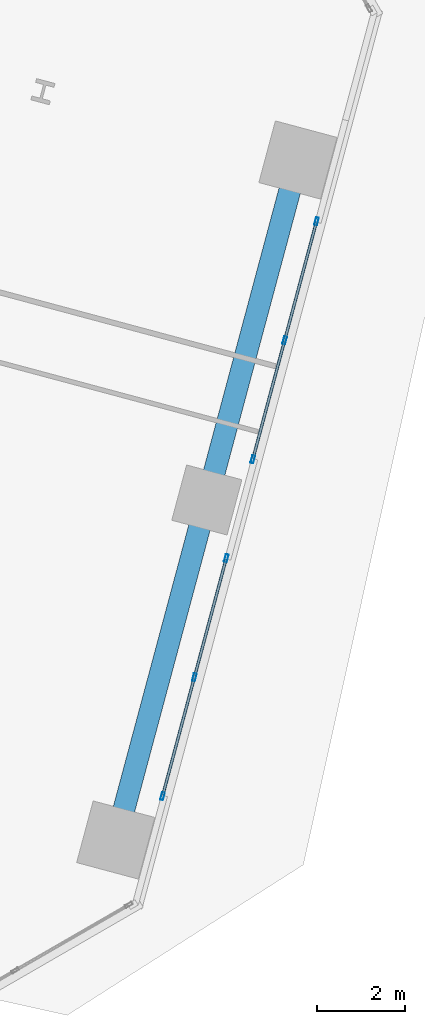
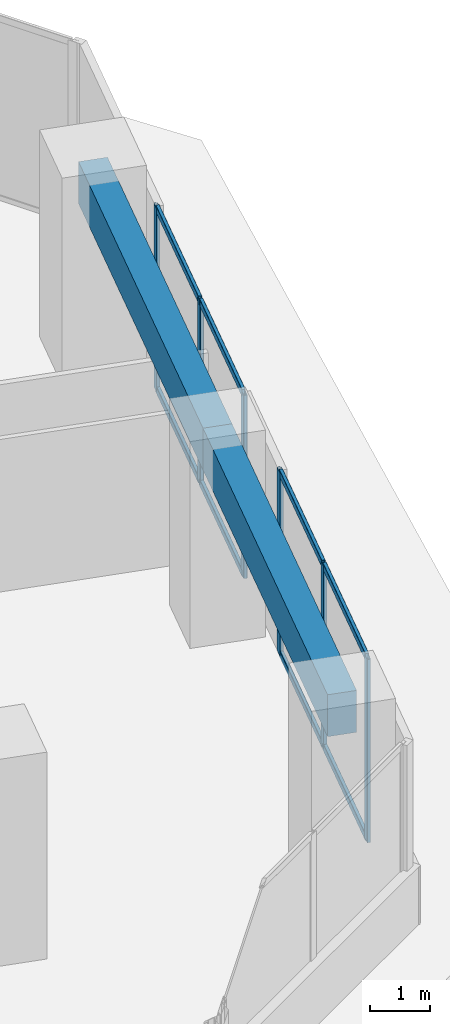
# One storey, part 9 of 26: 14 members, 2 beams, 2 elements without a shape of their own.
"""IFC4 building model written with IfcOpenShell, lengths in metres."""

from ifc_helpers import new_model, si_unit, direction, frame, origin, origin_2d, place, context, subcontext, project, spatial, rectangle, hollow_rectangle, extrude, source, transform, mapped, material, material_profile, profile_set, type_object, element, aggregate, save


model = new_model("IFC4")

# Units and contexts
model_context = context("Model", 3, precision=1e-05, world=origin(), true_north=direction((0.0, 1.0)))
body_context = subcontext(model_context, "Body", "Model", "MODEL_VIEW")
ifc_project = project(units=[si_unit("LENGTHUNIT", "METRE"), si_unit("AREAUNIT", "SQUARE_METRE"), si_unit("VOLUMEUNIT", "CUBIC_METRE"), si_unit("PLANEANGLEUNIT", "RADIAN"), si_unit("MASSUNIT", "GRAM", prefix="KILO")], contexts=[model_context])

# Site, building, storey
site_placement = place(None, origin())
site = spatial("IfcSite", under=ifc_project, at=site_placement, CompositionType="ELEMENT")
building_placement = place(site_placement, origin())
building = spatial("IfcBuilding", under=site, at=building_placement, Name="Torre Montelarca", CompositionType="ELEMENT")
storey_placement = place(building_placement, frame((0.0, 0.0, 100.0)))
storey = spatial("IfcBuildingStorey", under=building, at=storey_placement, Name="L22", CompositionType="ELEMENT", Elevation=100.0)

# Beams
ifc_material_1 = material(Name="Concrete C55/67", Category="concrete")
ifc_material_profile_1 = material_profile(ifc_material_1, rectangle(XDim=0.5, YDim=0.85009765625, at=origin_2d()), Name="RCB500X850", Category="concrete")
ifc_profile_set_1 = profile_set([ifc_material_profile_1], Name="Concrete C55/67")
beam_type = type_object("IfcBeamType", Name="BM-SP-RC850-EXT", PredefinedType="SPANDREL", material=ifc_profile_set_1)
shared_shape_1 = source(origin(), body_context, "Body", "SweptSolid", [
    extrude(rectangle(XDim=0.5, YDim=0.85009765625, at=origin_2d()), origin(), (0.0, 0.0, 1.0), 7.999755859375),
])
beam_1_placement = place(storey_placement, frame((56.61767578125, 14.30810546875, 3.534912109375), z_axis=(0.258794560614, 0.965932386555, 0.0), x_axis=(-0.965932386555, 0.258794560614, 0.0)))
element("IfcBeam", 1, at=beam_1_placement, inside=storey, type_object=beam_type, Name="L22 Grid Girder Y 24.0-32.0 at X=60.0", PredefinedType="SPANDREL", context=body_context, shape_type="MappedRepresentation", body=[
    mapped(shared_shape_1, transform((0.0, 0.0, 0.0), scale=1.0)),
])
shared_shape_2 = source(origin(), body_context, "Body", "SweptSolid", [
    extrude(rectangle(XDim=0.5, YDim=0.85009765625, at=origin_2d()), origin(), (0.0, 0.0, 1.0), 8.000244140625),
])
beam_2_placement = place(storey_placement, frame((58.68798828125, 22.035400390625, 3.534912109375), z_axis=(0.258843877716, 0.965919172068, 0.0), x_axis=(-0.965919172068, 0.258843877716, 0.0)))
element("IfcBeam", 2, at=beam_2_placement, inside=storey, type_object=beam_type, Name="L22 Grid Girder Y 32.0-40.0 at X=60.0", PredefinedType="SPANDREL", context=body_context, shape_type="MappedRepresentation", body=[
    mapped(shared_shape_2, transform((0.0, 0.0, 0.0), scale=1.0)),
])

# Curtain wall, members
ifc_material_2 = material(Name="Insulated low-E laminated glass", Category="glass")
curtain_wall_type = type_object("IfcCurtainWallType", Name="CW-SYS-Z1", PredefinedType="USERDEFINED", material=ifc_material_2)
curtain_wall_1_placement = place(storey_placement, origin())
curtain_wall_1 = element("IfcCurtainWall", 3, at=curtain_wall_1_placement, inside=storey, type_object=curtain_wall_type, Name="L22 Curtain Wall Run CW-T3-L22-E06-B1", ObjectType="UNITISED GLAZING", PredefinedType="USERDEFINED")
ifc_material_3 = material(Name="Anodised aluminium AA 6063-T6", Category="aluminium")
ifc_material_profile_2 = material_profile(ifc_material_3, hollow_rectangle(XDim=0.06494140625, YDim=0.139892578125, WallThickness=0.00390625, InnerFilletRadius=0.00390625, OuterFilletRadius=0.008056640625, at=origin_2d()), Name="ALU65X140X4", Category="aluminium")
ifc_profile_set_2 = profile_set([ifc_material_profile_2], Name="Anodised aluminium AA 6063-T6")
member_type_1 = type_object("IfcMemberType", Name="CWT-ALU140", PredefinedType="USERDEFINED", material=ifc_profile_set_2)
shared_shape_3 = source(origin(), body_context, "Body", "SweptSolid", [
    extrude(hollow_rectangle(XDim=0.06494140625, YDim=0.139892578125, WallThickness=0.00390625, InnerFilletRadius=0.00390625, OuterFilletRadius=0.008056640625, at=origin_2d()), origin(), (0.0, 0.0, 1.0), 2.735107421875),
])
member_1_placement = place(storey_placement, frame((57.690185546875, 15.33544921875, 0.032470703125), z_axis=(0.258779216876, 0.96593649735, 0.0), x_axis=(-0.96593649735, 0.258779216876, 0.0)))
member_1 = element("IfcMember", 4, at=member_1_placement, type_object=member_type_1, Name="CW transom 1.1", ObjectType="TRANSOM", PredefinedType="USERDEFINED", context=body_context, shape_type="MappedRepresentation", body=[
    mapped(shared_shape_3, transform((0.0, 0.0, 0.0), scale=1.0)),
])
member_2_placement = place(storey_placement, frame((57.690185546875, 15.33544921875, 3.6875), z_axis=(0.258779216876, 0.96593649735, 0.0), x_axis=(-0.96593649735, 0.258779216876, 0.0)))
member_2 = element("IfcMember", 5, at=member_2_placement, type_object=member_type_1, Name="CW transom 1.2", ObjectType="TRANSOM", PredefinedType="USERDEFINED", context=body_context, shape_type="MappedRepresentation", body=[
    mapped(shared_shape_3, transform((0.0, 0.0, 0.0), scale=1.0)),
])
member_3_placement = place(storey_placement, frame((58.414794921875, 18.0400390625, 0.032470703125), z_axis=(0.258779216876, 0.96593649735, 0.0), x_axis=(-0.96593649735, 0.258779216876, 0.0)))
member_3 = element("IfcMember", 6, at=member_3_placement, type_object=member_type_1, Name="CW transom 2.1", ObjectType="TRANSOM", PredefinedType="USERDEFINED", context=body_context, shape_type="MappedRepresentation", body=[
    mapped(shared_shape_3, transform((0.0, 0.0, 0.0), scale=1.0)),
])
member_4_placement = place(storey_placement, frame((58.414794921875, 18.0400390625, 3.6875), z_axis=(0.258779216876, 0.96593649735, 0.0), x_axis=(-0.96593649735, 0.258779216876, 0.0)))
member_4 = element("IfcMember", 7, at=member_4_placement, type_object=member_type_1, Name="CW transom 2.2", ObjectType="TRANSOM", PredefinedType="USERDEFINED", context=body_context, shape_type="MappedRepresentation", body=[
    mapped(shared_shape_3, transform((0.0, 0.0, 0.0), scale=1.0)),
])

curtain_wall_2_placement = place(storey_placement, origin())
curtain_wall_2 = element("IfcCurtainWall", 8, at=curtain_wall_2_placement, inside=storey, type_object=curtain_wall_type, Name="L22 Curtain Wall Run CW-T3-L22-E06-B2", ObjectType="UNITISED GLAZING", PredefinedType="USERDEFINED")
member_5_placement = place(storey_placement, frame((59.7412109375, 22.990478515625, 0.032470703125), z_axis=(0.258779216876, 0.96593649735, 0.0), x_axis=(-0.96593649735, 0.258779216876, 0.0)))
member_5 = element("IfcMember", 9, at=member_5_placement, type_object=member_type_1, Name="CW transom 1.1", ObjectType="TRANSOM", PredefinedType="USERDEFINED", context=body_context, shape_type="MappedRepresentation", body=[
    mapped(shared_shape_3, transform((0.0, 0.0, 0.0), scale=1.0)),
])
member_6_placement = place(storey_placement, frame((59.7412109375, 22.990478515625, 3.6875), z_axis=(0.258779216876, 0.96593649735, 0.0), x_axis=(-0.96593649735, 0.258779216876, 0.0)))
member_6 = element("IfcMember", 10, at=member_6_placement, type_object=member_type_1, Name="CW transom 1.2", ObjectType="TRANSOM", PredefinedType="USERDEFINED", context=body_context, shape_type="MappedRepresentation", body=[
    mapped(shared_shape_3, transform((0.0, 0.0, 0.0), scale=1.0)),
])
member_7_placement = place(storey_placement, frame((60.4658203125, 25.695068359375, 0.032470703125), z_axis=(0.258862501203, 0.965914181214, 0.0), x_axis=(-0.965914181214, 0.258862501203, 0.0)))
member_7 = element("IfcMember", 11, at=member_7_placement, type_object=member_type_1, Name="CW transom 2.1", ObjectType="TRANSOM", PredefinedType="USERDEFINED", context=body_context, shape_type="MappedRepresentation", body=[
    mapped(shared_shape_3, transform((0.0, 0.0, 0.0), scale=1.0)),
])
member_8_placement = place(storey_placement, frame((60.4658203125, 25.695068359375, 3.6875), z_axis=(0.258862501203, 0.965914181214, 0.0), x_axis=(-0.965914181214, 0.258862501203, 0.0)))
member_8 = element("IfcMember", 12, at=member_8_placement, type_object=member_type_1, Name="CW transom 2.2", ObjectType="TRANSOM", PredefinedType="USERDEFINED", context=body_context, shape_type="MappedRepresentation", body=[
    mapped(shared_shape_3, transform((0.0, 0.0, 0.0), scale=1.0)),
])

# Member
ifc_material_profile_3 = material_profile(ifc_material_3, hollow_rectangle(XDim=0.06494140625, YDim=0.179931640625, WallThickness=0.00390625, InnerFilletRadius=0.00390625, OuterFilletRadius=0.008056640625, at=origin_2d()), Name="ALU65X180X4", Category="aluminium")
ifc_profile_set_3 = profile_set([ifc_material_profile_3], Name="Anodised aluminium AA 6063-T6")
member_type_2 = type_object("IfcMemberType", Name="CWM-ALU180", PredefinedType="MULLION", material=ifc_profile_set_3)
shared_shape_4 = source(origin(), body_context, "Body", "SweptSolid", [
    extrude(hollow_rectangle(XDim=0.06494140625, YDim=0.179931640625, WallThickness=0.00390625, InnerFilletRadius=0.00390625, OuterFilletRadius=0.008056640625, at=origin_2d()), origin(), (0.0, 0.0, 1.0), 3.719970703125),
])
member_9_placement = place(storey_placement, frame((57.681640625, 15.30419921875, 0.0), z_axis=(0.0, 0.0, 1.0), x_axis=(-0.965926619793, 0.258816083688, 0.0)))
member_9 = element("IfcMember", 13, at=member_9_placement, type_object=member_type_2, Name="CW mullion 1", PredefinedType="MULLION", context=body_context, shape_type="MappedRepresentation", body=[
    mapped(shared_shape_4, transform((0.0, 0.0, 0.0), scale=1.0)),
])

member_10_placement = place(storey_placement, frame((58.406494140625, 18.0087890625, 0.0), z_axis=(0.0, 0.0, 1.0), x_axis=(-0.965926619793, 0.258816083688, 0.0)))
member_10 = element("IfcMember", 14, at=member_10_placement, type_object=member_type_2, Name="CW mullion 2", PredefinedType="MULLION", context=body_context, shape_type="MappedRepresentation", body=[
    mapped(shared_shape_4, transform((0.0, 0.0, 0.0), scale=1.0)),
])

member_11_placement = place(storey_placement, frame((59.131103515625, 20.71337890625, 0.0), z_axis=(0.0, 0.0, 1.0), x_axis=(-0.965926619793, 0.258816083688, 0.0)))
member_11 = element("IfcMember", 15, at=member_11_placement, type_object=member_type_2, Name="CW mullion 3", PredefinedType="MULLION", context=body_context, shape_type="MappedRepresentation", body=[
    mapped(shared_shape_4, transform((0.0, 0.0, 0.0), scale=1.0)),
])

aggregate(curtain_wall_1, [member_9, member_10, member_11, member_1, member_2, member_3, member_4])

member_12_placement = place(storey_placement, frame((59.73291015625, 22.958984375, 0.0), z_axis=(0.0, 0.0, 1.0), x_axis=(-0.965926619793, 0.258816083688, 0.0)))
member_12 = element("IfcMember", 16, at=member_12_placement, type_object=member_type_2, Name="CW mullion 1", PredefinedType="MULLION", context=body_context, shape_type="MappedRepresentation", body=[
    mapped(shared_shape_4, transform((0.0, 0.0, 0.0), scale=1.0)),
])

member_13_placement = place(storey_placement, frame((60.45751953125, 25.663818359375, 0.0), z_axis=(0.0, 0.0, 1.0), x_axis=(-0.965926619793, 0.258816083688, 0.0)))
member_13 = element("IfcMember", 17, at=member_13_placement, type_object=member_type_2, Name="CW mullion 2", PredefinedType="MULLION", context=body_context, shape_type="MappedRepresentation", body=[
    mapped(shared_shape_4, transform((0.0, 0.0, 0.0), scale=1.0)),
])

member_14_placement = place(storey_placement, frame((61.18212890625, 28.368408203125, 0.0), z_axis=(0.0, 0.0, 1.0), x_axis=(-0.965926619793, 0.258816083688, 0.0)))
member_14 = element("IfcMember", 18, at=member_14_placement, type_object=member_type_2, Name="CW mullion 3", PredefinedType="MULLION", context=body_context, shape_type="MappedRepresentation", body=[
    mapped(shared_shape_4, transform((0.0, 0.0, 0.0), scale=1.0)),
])

aggregate(curtain_wall_2, [member_12, member_13, member_14, member_5, member_6, member_7, member_8])

save(model, "model.ifc")
